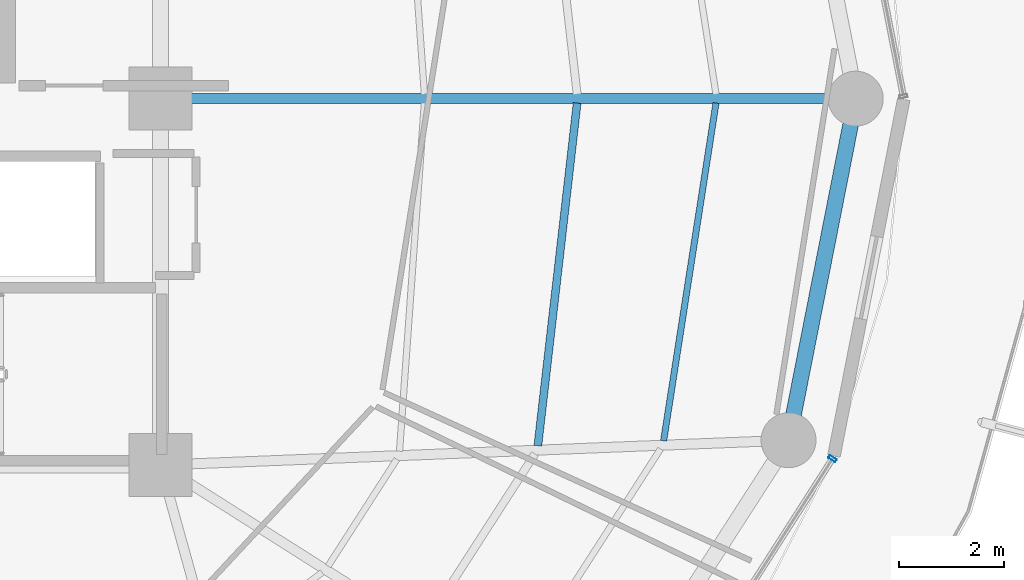
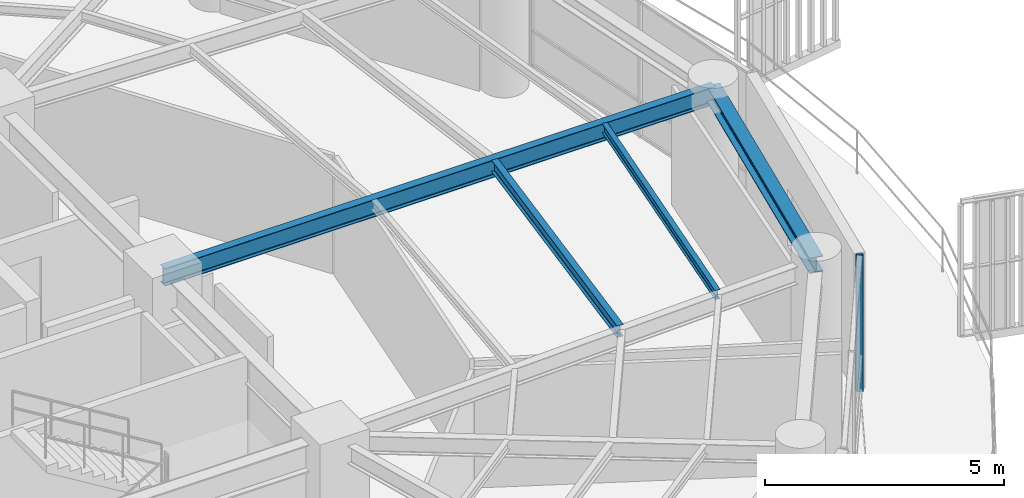
# One storey, part 13 of 30: 4 beams, 1 member, 1 element without a shape of its own.
"""IFC4 building model written with IfcOpenShell, lengths in metres."""

from ifc_helpers import new_model, si_unit, direction, frame, origin, origin_2d, place, context, subcontext, project, spatial, hollow_rectangle, i_section, extrude, material, layer, layer_set, material_profile, profile_set, type_object, element, aggregate, save


model = new_model("IFC4")

# Units and contexts
model_context = context("Model", 3, precision=1e-05, world=origin(), true_north=direction((0.0, 1.0)))
body_context = subcontext(model_context, "Body", "Model", "MODEL_VIEW")
ifc_project = project(units=[si_unit("LENGTHUNIT", "METRE"), si_unit("AREAUNIT", "SQUARE_METRE"), si_unit("VOLUMEUNIT", "CUBIC_METRE"), si_unit("PLANEANGLEUNIT", "RADIAN"), si_unit("MASSUNIT", "GRAM", prefix="KILO")], contexts=[model_context])

# Site, building, storey
site_placement = place(None, origin())
site = spatial("IfcSite", under=ifc_project, at=site_placement, CompositionType="ELEMENT")
building_placement = place(site_placement, origin())
building = spatial("IfcBuilding", under=site, at=building_placement, Name="Kelanora Arch Commons", CompositionType="ELEMENT")
storey_placement = place(building_placement, frame((0.0, 0.0, 208.199951171875)))
storey = spatial("IfcBuildingStorey", under=building, at=storey_placement, Name="L53", CompositionType="ELEMENT", Elevation=208.199951171875)

# Beams
ifc_material_1 = material(Name="Steel S355", Category="steel")
ifc_material_profile_1 = material_profile(ifc_material_1, i_section(OverallWidth=0.14990234375, OverallDepth=0.300048828125, WebThickness=0.007080078125, FlangeThickness=0.0107421875, FilletRadius=0.014892578125, at=origin_2d()), Name="IPE300")
ifc_profile_set_1 = profile_set([ifc_material_profile_1], Name="Steel S355")
beam_type_1 = type_object("IfcBeamType", Name="BM-JST-01", PredefinedType="JOIST", material=ifc_profile_set_1)
beam_1_placement = place(storey_placement, frame((89.207763671875, 51.368896484375, 3.340087890625), z_axis=(0.113891408177, 0.993493204377, 0.0), x_axis=(-0.993493204377, 0.113891408177, 0.0)))
element("IfcBeam", 1, at=beam_1_placement, inside=storey, type_object=beam_type_1, Name="Secondary Chord Joist BJB-34 L53", PredefinedType="JOIST", context=body_context, shape_type="SweptSolid", body=[
    extrude(i_section(OverallWidth=0.14990234375, OverallDepth=0.300048828125, WebThickness=0.007080078125, FlangeThickness=0.0107421875, FilletRadius=0.014892578125, at=origin_2d()), origin(), (0.0, 0.0, 1.0), 6.589599609375),
])
ifc_material_profile_2 = material_profile(ifc_material_1, i_section(OverallWidth=0.1201171875, OverallDepth=0.239990234375, WebThickness=0.006103515625, FlangeThickness=0.009765625, FilletRadius=0.014892578125, at=origin_2d()), Name="IPE240")
ifc_profile_set_2 = profile_set([ifc_material_profile_2], Name="Steel S355")
beam_type_2 = type_object("IfcBeamType", Name="BM-JST-02", PredefinedType="JOIST", material=ifc_profile_set_2)
beam_2_placement = place(storey_placement, frame((91.6103515625, 51.46337890625, 3.3701171875), z_axis=(0.153256756152, 0.988186402808, 0.0), x_axis=(-0.988186402808, 0.153256756152, 0.0)))
element("IfcBeam", 2, at=beam_2_placement, inside=storey, type_object=beam_type_2, Name="Secondary Chord Joist BJC-34 L53", PredefinedType="JOIST", context=body_context, shape_type="SweptSolid", body=[
    extrude(i_section(OverallWidth=0.1201171875, OverallDepth=0.239990234375, WebThickness=0.006103515625, FlangeThickness=0.009765625, FilletRadius=0.014892578125, at=origin_2d()), origin(), (0.0, 0.0, 1.0), 6.52978515625),
])
ifc_material_profile_3 = material_profile(ifc_material_1, i_section(OverallWidth=0.18994140625, OverallDepth=0.449951171875, WebThickness=0.009521484375, FlangeThickness=0.0146484375, FilletRadius=0.02099609375, at=origin_2d()), Name="IPE450")
ifc_profile_set_3 = profile_set([ifc_material_profile_3], Name="Steel S355")
beam_type_3 = type_object("IfcBeamType", Name="BM-RAD-Z4", PredefinedType="BEAM", material=ifc_profile_set_3)
beam_3_placement = place(storey_placement, frame((82.0, 58.0, 3.26513671875), z_axis=(1.0, 0.0, 0.0), x_axis=(0.0, 1.0, 0.0)))
element("IfcBeam", 3, at=beam_3_placement, inside=storey, type_object=beam_type_3, Name="Radial Floor Girder BR-00 L53", PredefinedType="BEAM", context=body_context, shape_type="SweptSolid", body=[
    extrude(i_section(OverallWidth=0.18994140625, OverallDepth=0.449951171875, WebThickness=0.009521484375, FlangeThickness=0.0146484375, FilletRadius=0.02099609375, at=origin_2d()), origin(), (0.0, 0.0, 1.0), 13.280029296875),
])
ifc_material_profile_4 = material_profile(ifc_material_1, i_section(OverallWidth=0.300048828125, OverallDepth=0.39990234375, WebThickness=0.013427734375, FlangeThickness=0.02392578125, FilletRadius=0.027099609375, at=origin_2d()), Name="HEB400")
ifc_profile_set_4 = profile_set([ifc_material_profile_4], Name="Steel S355")
beam_type_4 = type_object("IfcBeamType", Name="BM-SPN-Z4", PredefinedType="SPANDREL", material=ifc_profile_set_4)
beam_4_placement = place(storey_placement, frame((93.99658203125, 51.474365234375, 3.2900390625), z_axis=(0.192980724826, 0.981202547819, 0.0), x_axis=(-0.981202547819, 0.192980724826, 0.0)))
element("IfcBeam", 4, at=beam_4_placement, inside=storey, type_object=beam_type_4, Name="Perimeter Spandrel Beam BS-34 L53", PredefinedType="SPANDREL", context=body_context, shape_type="SweptSolid", body=[
    extrude(i_section(OverallWidth=0.300048828125, OverallDepth=0.39990234375, WebThickness=0.013427734375, FlangeThickness=0.02392578125, FilletRadius=0.027099609375, at=origin_2d()), origin(), (0.0, 0.0, 1.0), 6.650634765625),
])

# Curtain wall, member
ifc_material_2 = material(Name="Terracotta ceramic-fritted low-E glass and aluminium", Category="masonry")
ifc_layer = layer(ifc_material_2, 0.175048828125)
ifc_layer_set = layer_set([ifc_layer], Name="Terracotta ceramic-fritted low-E glass and aluminium")
curtain_wall_type = type_object("IfcCurtainWallType", Name="CW-SYS-02", PredefinedType="NOTDEFINED", material=ifc_layer_set)
curtain_wall_placement = place(storey_placement, origin())
curtain_wall = element("IfcCurtainWall", 5, at=curtain_wall_placement, inside=storey, type_object=curtain_wall_type, Name="Unitised Curtain Wall L53-B16", PredefinedType="NOTDEFINED")
ifc_material_3 = material(Name="Powder-coated aluminium terracotta", Category="masonry")
ifc_material_profile_5 = material_profile(ifc_material_3, hollow_rectangle(XDim=0.159912109375, YDim=0.06005859375, WallThickness=0.0048828125, InnerFilletRadius=0.0048828125, OuterFilletRadius=0.010009765625, at=origin_2d()), Name="CWM160x60")
ifc_profile_set_5 = profile_set([ifc_material_profile_5], Name="Powder-coated aluminium terracotta")
member_type = type_object("IfcMemberType", Name="CWM-STD", PredefinedType="MULLION", material=ifc_profile_set_5)
member_placement = place(storey_placement, frame((94.8369140625, 51.121826171875, 0.0), z_axis=(0.0, 0.0, 1.0), x_axis=(-0.84194757539, 0.539559338994, 0.0)))
member = element("IfcMember", 6, at=member_placement, type_object=member_type, Name="CW-02 mullion 3", PredefinedType="MULLION", context=body_context, shape_type="SweptSolid", body=[
    extrude(hollow_rectangle(XDim=0.159912109375, YDim=0.06005859375, WallThickness=0.0048828125, InnerFilletRadius=0.0048828125, OuterFilletRadius=0.010009765625, at=origin_2d()), origin(), (0.0, 0.0, 1.0), 3.47509765625),
])
aggregate(curtain_wall, [member])

save(model, "model.ifc")
